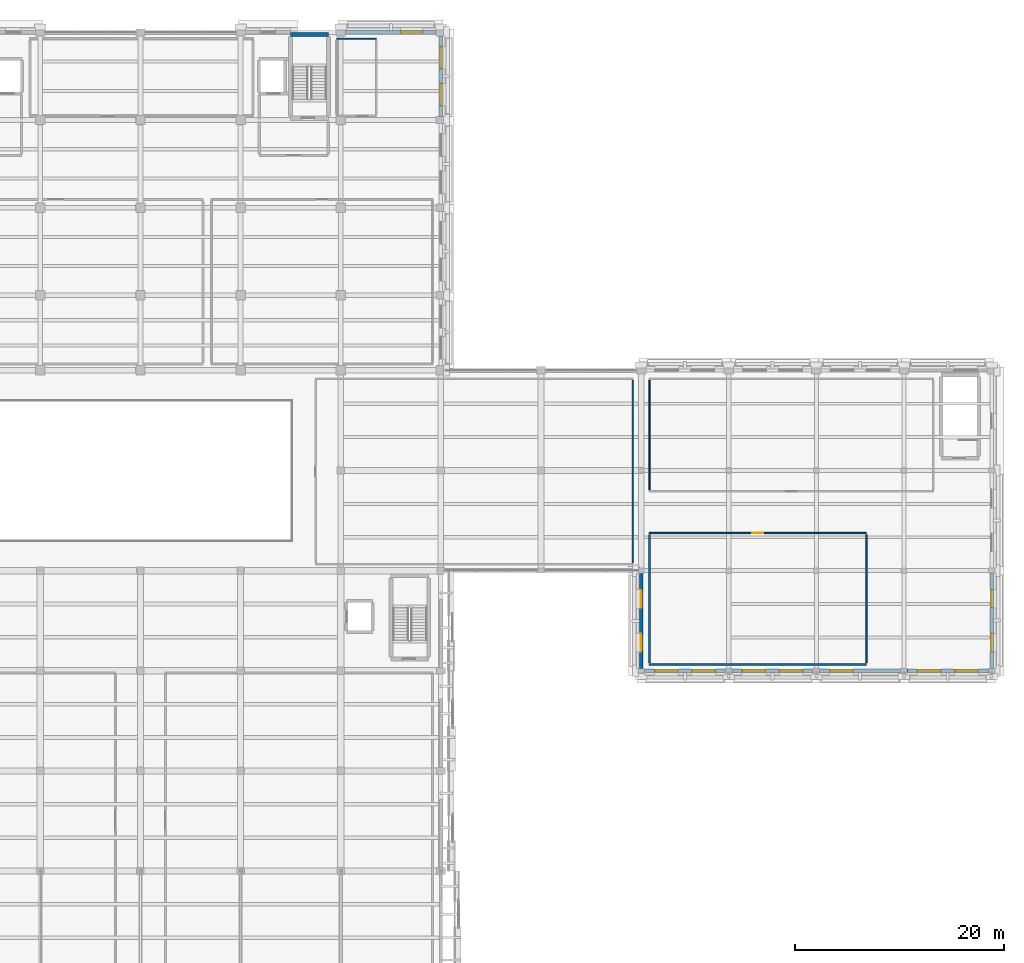
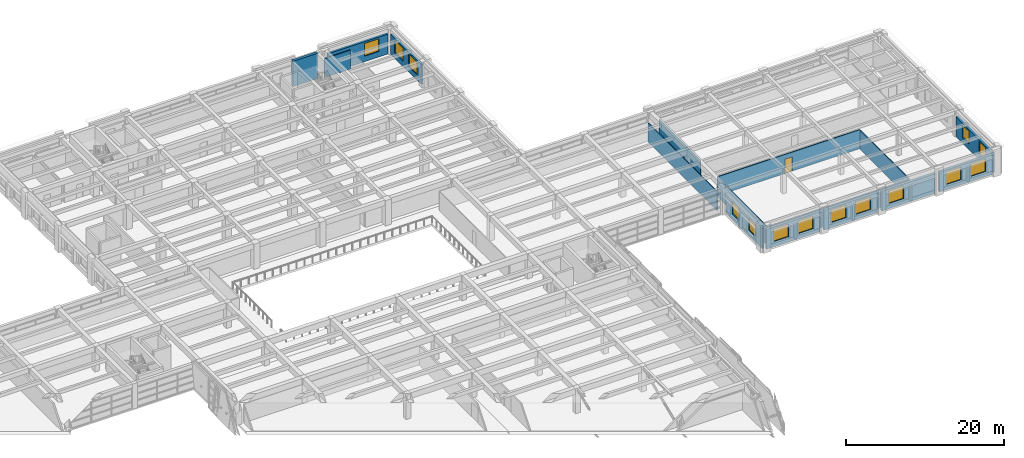
# One storey, part 48 of 62: 16 walls, 14 windows, 1 door, 15 openings.
"""IFC4 building model written with IfcOpenShell, lengths in metres."""

from ifc_helpers import new_model, si_unit, direction, frame, frame_2d, origin, place, context, subcontext, project, spatial, rectangle, extrude, material, layer, layer_set, type_object, element, fill, save


model = new_model("IFC4")

# Units and contexts
model_context = context("Model", 3, precision=1e-05, world=origin(), true_north=direction((0.0, 1.0)))
body_context = subcontext(model_context, "Body", "Model", "MODEL_VIEW")
ifc_project = project(units=[si_unit("LENGTHUNIT", "METRE"), si_unit("AREAUNIT", "SQUARE_METRE"), si_unit("VOLUMEUNIT", "CUBIC_METRE"), si_unit("PLANEANGLEUNIT", "RADIAN"), si_unit("MASSUNIT", "GRAM", prefix="KILO")], contexts=[model_context])

# Site, building, storey
site_placement = place(None, origin())
site = spatial("IfcSite", under=ifc_project, at=site_placement, CompositionType="ELEMENT")
building_placement = place(site_placement, origin())
building = spatial("IfcBuilding", under=site, at=building_placement, Name="Bempovik Park Faculty of Sciences", CompositionType="ELEMENT")
storey_placement = place(building_placement, frame((0.0, 0.0, 9.89990234375)))
storey = spatial("IfcBuildingStorey", under=building, at=storey_placement, Name="L02", CompositionType="ELEMENT", Elevation=9.89990234375)

# Walls
ifc_material_1 = material(Name="Gypsum acoustic stud assembly")
ifc_layer_1 = layer(ifc_material_1, 0.1201171875)
ifc_layer_set_1 = layer_set([ifc_layer_1], Name="Gypsum acoustic stud assembly")
wall_type_1 = type_object("IfcWallType", Name="W-17 Wall 120mm", PredefinedType="PARTITIONING", material=ifc_layer_set_1)
wall_1_placement = place(storey_placement, frame((136.0, 68.56005859375, 0.0), z_axis=(0.0, 0.0, 1.0), x_axis=(0.0, 1.0, 0.0)))
element("IfcWall", 1, at=wall_1_placement, inside=storey, type_object=wall_type_1, Name="L02 Atrium East Academic Staff Offices Partition East", PredefinedType="PARTITIONING", context=body_context, shape_type="SweptSolid", body=[
    extrude(rectangle(XDim=17.47998046875, YDim=0.1201171875, at=frame_2d((8.739990234375, 0.0))), origin(), (0.0, 0.0, 1.0), 2.920166015625),
])
wall_2_placement = place(storey_placement, frame((137.60009765625, 75.56005859375, 0.0), z_axis=(0.0, 0.0, 1.0), x_axis=(0.0, 1.0, 0.0)))
element("IfcWall", 2, at=wall_2_placement, inside=storey, type_object=wall_type_1, Name="L02 Mathematics Departmental Staff Offices Partition West", PredefinedType="PARTITIONING", context=body_context, shape_type="SweptSolid", body=[
    extrude(rectangle(XDim=10.47998046875, YDim=0.1201171875, at=frame_2d((5.239990234375, 0.0))), origin(), (0.0, 0.0, 1.0), 2.920166015625),
])
wall_3_placement = place(storey_placement, frame((107.60009765625, 118.800048828125, 0.0), z_axis=(0.0, 0.0, 1.0), x_axis=(1.0, 0.0, 0.0)))
element("IfcWall", 3, at=wall_3_placement, inside=storey, type_object=wall_type_1, Name="L02 L02 Accessible WC Partition North", PredefinedType="PARTITIONING", context=body_context, shape_type="SweptSolid", body=[
    extrude(rectangle(XDim=3.7998046875, YDim=0.1201171875, at=frame_2d((1.89990234375, 0.0))), origin(), (0.0, 0.0, 1.0), 2.920166015625),
])
ifc_layer_2 = layer(ifc_material_1, 0.14990234375)
ifc_layer_set_2 = layer_set([ifc_layer_2], Name="Gypsum acoustic stud assembly")
wall_type_2 = type_object("IfcWallType", Name="W-42 Wall 150mm", PredefinedType="PARTITIONING", material=ifc_layer_set_2)
wall_4_placement = place(storey_placement, frame((137.60009765625, 58.800048828125, 0.0), z_axis=(0.0, 0.0, 1.0), x_axis=(1.0, 0.0, 0.0)))
element("IfcWall", 4, at=wall_4_placement, inside=storey, type_object=wall_type_2, Name="L02 East Wing Honours Seminar Room Partition South", PredefinedType="PARTITIONING", context=body_context, shape_type="SweptSolid", body=[
    extrude(rectangle(XDim=20.7998046875, YDim=0.14990234375, at=frame_2d((10.39990234375, 0.0))), origin(), (0.0, 0.0, 1.0), 2.920166015625),
])

# Wall, opening, door
wall_5_placement = place(storey_placement, frame((137.60009765625, 71.39990234375, 0.0), z_axis=(0.0, 0.0, 1.0), x_axis=(1.0, 0.0, 0.0)))
wall_5 = element("IfcWall", 5, at=wall_5_placement, inside=storey, type_object=wall_type_2, Name="L02 East Wing Honours Seminar Room Partition North", PredefinedType="PARTITIONING", context=body_context, shape_type="SweptSolid", body=[
    extrude(rectangle(XDim=20.7998046875, YDim=0.14990234375, at=frame_2d((10.39990234375, 0.0))), origin(), (0.0, 0.0, 1.0), 2.920166015625),
])
opening_1_placement = place(wall_5_placement, frame((9.875, 0.0, 0.0)))
opening_1 = element("IfcOpeningElement", 6, at=opening_1_placement, cuts=wall_5, Name="Opening D-16", PredefinedType="OPENING", context=body_context, shape_type="SweptSolid", body=[
    extrude(rectangle(XDim=1.050048828125, YDim=2.199951171875, at=frame_2d((0.52490234375, 1.10009765625))), frame((0.0, 0.0849609375, 0.0), z_axis=(0.0, -1.0, 0.0), x_axis=(1.0, 0.0, 0.0)), (0.0, 0.0, 1.0), 0.169921875),
])
ifc_material_2 = material(Name="West African hardwood finish", Category="wood")
door_type = type_object("IfcDoorType", Name="D-16 Door 1050x2200", OperationType="NOTDEFINED", PredefinedType="DOOR", material=ifc_material_2)
door_placement = place(opening_1_placement, origin())
door = element("IfcDoor", 7, at=door_placement, inside=storey, type_object=door_type, Name="L02 East Wing Honours Seminar Room Door", OperationType="SINGLE_SWING_RIGHT", OverallHeight=2.199951171875, OverallWidth=1.050048828125, PredefinedType="DOOR", context=body_context, shape_type="SweptSolid", body=[
    extrude(rectangle(XDim=1.050048828125, YDim=2.199951171875, at=frame_2d((0.52490234375, 1.10009765625))), frame((0.0, 0.02490234375, 0.0), z_axis=(0.0, -1.0, 0.0), x_axis=(1.0, 0.0, 0.0)), (0.0, 0.0, 1.0), 0.050048828125),
])
fill(opening_1, door)

# Walls
for number, where, z_axis, x_axis, name in (
    (8, (137.60009765625, 58.9599609375, 0.0), (0.0, 0.0, 1.0), (0.0, 1.0, 0.0), "L02 East Wing Honours Seminar Room Partition West"),
    (9, (158.39990234375, 58.9599609375, 0.0), (0.0, 0.0, 1.0), (0.0, 1.0, 0.0), "L02 East Wing Honours Seminar Room Partition East"),
):
    element("IfcWall", number, at=place(storey_placement, frame(where, z_axis=z_axis, x_axis=x_axis)), inside=storey, type_object=wall_type_2, Name=name, PredefinedType="PARTITIONING", context=body_context, shape_type="SweptSolid", body=[
        extrude(rectangle(XDim=12.280029296875, YDim=0.14990234375, at=frame_2d((6.14013671875, 0.0))), origin(), (0.0, 0.0, 1.0), 2.920166015625),
    ])
ifc_material_3 = material(Name="Concrete C40/50", Category="concrete")
ifc_layer_3 = layer(ifc_material_3, 0.39990234375)
ifc_layer_set_3 = layer_set([ifc_layer_3], Name="Concrete C40/50")
wall_type_3 = type_object("IfcWallType", Name="W-47 Wall 400mm", PredefinedType="SHEAR", material=ifc_layer_set_3)
wall_6_placement = place(storey_placement, frame((103.175048828125, 119.199951171875, 0.0), z_axis=(0.0, 0.0, 1.0), x_axis=(1.0, 0.0, 0.0)))
element("IfcWall", 10, at=wall_6_placement, inside=storey, type_object=wall_type_3, Name="ST-2 L02 Core Shear Wall North", PredefinedType="SHEAR", context=body_context, shape_type="SweptSolid", body=[
    extrude(rectangle(XDim=3.64990234375, YDim=0.39990234375, at=frame_2d((1.824951171875, 0.0))), origin(), (0.0, 0.0, 1.0), 3.900146484375),
])

# Wall, opening, window
ifc_material_4 = material(Name="Precast concrete C40/50", Category="concrete")
ifc_layer_4 = layer(ifc_material_4, 0.320068359375)
ifc_layer_set_4 = layer_set([ifc_layer_4], Name="Precast concrete C40/50")
wall_type_4 = type_object("IfcWallType", Name="W-56 Wall 320mm", PredefinedType="SOLIDWALL", material=ifc_layer_set_4)
wall_7_placement = place(storey_placement, frame((108.451904296875, 119.39990234375, 0.0), z_axis=(0.0, 0.0, 1.0), x_axis=(1.0, 0.0, 0.0)))
wall_7 = element("IfcWall", 11, at=wall_7_placement, inside=storey, type_object=wall_type_4, Name="L02 Classical Precast Facade Wall EW-L02-7657", PredefinedType="SOLIDWALL", context=body_context, shape_type="SweptSolid", body=[
    extrude(rectangle(XDim=8.696044921875, YDim=0.320068359375, at=frame_2d((4.34814453125, 0.0))), origin(), (0.0, 0.0, 1.0), 3.080078125),
])
opening_2_placement = place(wall_7_placement, frame((5.298095703125, 0.0, 0.85009765625)))
opening_2 = element("IfcOpeningElement", 12, at=opening_2_placement, cuts=wall_7, Name="Opening WN-39", PredefinedType="OPENING", context=body_context, shape_type="SweptSolid", body=[
    extrude(rectangle(XDim=2.10009765625, YDim=1.949951171875, at=frame_2d((1.050048828125, 0.97509765625))), frame((0.0, 0.169921875, 0.0), z_axis=(0.0, -1.0, 0.0), x_axis=(1.0, 0.0, 0.0)), (0.0, 0.0, 1.0), 0.340087890625),
])
ifc_material_5 = material(Name="Tempered laminated low-E glass", Category="glass")
window_type_1 = type_object("IfcWindowType", Name="WN-39 Window 2100x1950", PartitioningType="SINGLE_PANEL", PredefinedType="WINDOW", material=ifc_material_5)
window_1_placement = place(opening_2_placement, origin())
window_1 = element("IfcWindow", 13, at=window_1_placement, inside=storey, type_object=window_type_1, Name="L02 Window EW-L02-7657-2", OverallHeight=1.949951171875, OverallWidth=2.10009765625, PartitioningType="SINGLE_PANEL", PredefinedType="WINDOW", context=body_context, shape_type="SweptSolid", body=[
    extrude(rectangle(XDim=2.10009765625, YDim=1.949951171875, at=frame_2d((1.050048828125, 0.97509765625))), frame((0.0, 0.030029296875, 0.0), z_axis=(0.0, -1.0, 0.0), x_axis=(1.0, 0.0, 0.0)), (0.0, 0.0, 1.0), 0.06005859375),
])
fill(opening_2, window_1)

# Wall, openings, windows
wall_8_placement = place(storey_placement, frame((117.60009765625, 111.35205078125, 0.0), z_axis=(0.0, 0.0, 1.0), x_axis=(0.0, 1.0, 0.0)))
wall_8 = element("IfcWall", 14, at=wall_8_placement, inside=storey, type_object=wall_type_4, Name="L02 Classical Precast Facade Wall EW-L02-7708", PredefinedType="SOLIDWALL", context=body_context, shape_type="SweptSolid", body=[
    extrude(rectangle(XDim=7.696044921875, YDim=0.320068359375, at=frame_2d((3.84814453125, 0.0))), origin(), (0.0, 0.0, 1.0), 3.080078125),
])
opening_3_placement = place(wall_8_placement, frame((1.02783203125, 0.0, 0.85009765625)))
opening_3 = element("IfcOpeningElement", 15, at=opening_3_placement, cuts=wall_8, Name="Opening WN-39", PredefinedType="OPENING", context=body_context, shape_type="SweptSolid", body=[
    extrude(rectangle(XDim=2.10009765625, YDim=1.949951171875, at=frame_2d((1.050048828125, 0.97509765625))), frame((0.0, 0.169921875, 0.0), z_axis=(0.0, -1.0, 0.0), x_axis=(1.0, 0.0, 0.0)), (0.0, 0.0, 1.0), 0.340087890625),
])
opening_4_placement = place(wall_8_placement, frame((4.568115234375, 0.0, 0.85009765625)))
opening_4 = element("IfcOpeningElement", 16, at=opening_4_placement, cuts=wall_8, Name="Opening WN-39", PredefinedType="OPENING", context=body_context, shape_type="SweptSolid", body=[
    extrude(rectangle(XDim=2.10009765625, YDim=1.949951171875, at=frame_2d((1.050048828125, 0.97509765625))), frame((0.0, 0.169921875, 0.0), z_axis=(0.0, -1.0, 0.0), x_axis=(1.0, 0.0, 0.0)), (0.0, 0.0, 1.0), 0.340087890625),
])
window_2_placement = place(opening_3_placement, origin())
window_2 = element("IfcWindow", 17, at=window_2_placement, inside=storey, type_object=window_type_1, Name="L02 Window EW-L02-7708-1", OverallHeight=1.949951171875, OverallWidth=2.10009765625, PartitioningType="SINGLE_PANEL", PredefinedType="WINDOW", context=body_context, shape_type="SweptSolid", body=[
    extrude(rectangle(XDim=2.10009765625, YDim=1.949951171875, at=frame_2d((1.050048828125, 0.97509765625))), frame((0.0, 0.030029296875, 0.0), z_axis=(0.0, -1.0, 0.0), x_axis=(1.0, 0.0, 0.0)), (0.0, 0.0, 1.0), 0.06005859375),
])
fill(opening_3, window_2)
window_3_placement = place(opening_4_placement, origin())
window_3 = element("IfcWindow", 18, at=window_3_placement, inside=storey, type_object=window_type_1, Name="L02 Window EW-L02-7708-2", OverallHeight=1.949951171875, OverallWidth=2.10009765625, PartitioningType="SINGLE_PANEL", PredefinedType="WINDOW", context=body_context, shape_type="SweptSolid", body=[
    extrude(rectangle(XDim=2.10009765625, YDim=1.949951171875, at=frame_2d((1.050048828125, 0.97509765625))), frame((0.0, 0.030029296875, 0.0), z_axis=(0.0, -1.0, 0.0), x_axis=(1.0, 0.0, 0.0)), (0.0, 0.0, 1.0), 0.06005859375),
])
fill(opening_4, window_3)

wall_9_placement = place(storey_placement, frame((170.39990234375, 58.431884765625, 0.0), z_axis=(0.0, 0.0, 1.0), x_axis=(0.0, 1.0, 0.0)))
wall_9 = element("IfcWall", 19, at=wall_9_placement, inside=storey, type_object=wall_type_4, Name="L02 Classical Precast Facade Wall EW-L02-7808", PredefinedType="SOLIDWALL", context=body_context, shape_type="SweptSolid", body=[
    extrude(rectangle(XDim=9.13623046875, YDim=0.320068359375, at=frame_2d((4.568115234375, 0.0))), origin(), (0.0, 0.0, 1.0), 3.080078125),
])
opening_5_placement = place(wall_9_placement, frame((1.61669921875, 0.0, 0.85009765625)))
opening_5 = element("IfcOpeningElement", 20, at=opening_5_placement, cuts=wall_9, Name="Opening WN-42", PredefinedType="OPENING", context=body_context, shape_type="SweptSolid", body=[
    extrude(rectangle(XDim=1.699951171875, YDim=1.949951171875, at=frame_2d((0.85009765625, 0.97509765625))), frame((0.0, 0.169921875, 0.0), z_axis=(0.0, -1.0, 0.0), x_axis=(1.0, 0.0, 0.0)), (0.0, 0.0, 1.0), 0.340087890625),
])
opening_6_placement = place(wall_9_placement, frame((5.8193359375, 0.0, 0.85009765625)))
opening_6 = element("IfcOpeningElement", 21, at=opening_6_placement, cuts=wall_9, Name="Opening WN-42", PredefinedType="OPENING", context=body_context, shape_type="SweptSolid", body=[
    extrude(rectangle(XDim=1.699951171875, YDim=1.949951171875, at=frame_2d((0.85009765625, 0.97509765625))), frame((0.0, 0.169921875, 0.0), z_axis=(0.0, -1.0, 0.0), x_axis=(1.0, 0.0, 0.0)), (0.0, 0.0, 1.0), 0.340087890625),
])
window_type_2 = type_object("IfcWindowType", Name="WN-42 Window 1700x1950", PartitioningType="SINGLE_PANEL", PredefinedType="WINDOW", material=ifc_material_5)
window_4_placement = place(opening_5_placement, origin())
window_4 = element("IfcWindow", 22, at=window_4_placement, inside=storey, type_object=window_type_2, Name="L02 Window EW-L02-7808-1", OverallHeight=1.949951171875, OverallWidth=1.699951171875, PartitioningType="SINGLE_PANEL", PredefinedType="WINDOW", context=body_context, shape_type="SweptSolid", body=[
    extrude(rectangle(XDim=1.699951171875, YDim=1.949951171875, at=frame_2d((0.85009765625, 0.97509765625))), frame((0.0, 0.030029296875, 0.0), z_axis=(0.0, -1.0, 0.0), x_axis=(1.0, 0.0, 0.0)), (0.0, 0.0, 1.0), 0.06005859375),
])
fill(opening_5, window_4)
window_5_placement = place(opening_6_placement, origin())
window_5 = element("IfcWindow", 23, at=window_5_placement, inside=storey, type_object=window_type_2, Name="L02 Window EW-L02-7808-2", OverallHeight=1.949951171875, OverallWidth=1.699951171875, PartitioningType="SINGLE_PANEL", PredefinedType="WINDOW", context=body_context, shape_type="SweptSolid", body=[
    extrude(rectangle(XDim=1.699951171875, YDim=1.949951171875, at=frame_2d((0.85009765625, 0.97509765625))), frame((0.0, 0.030029296875, 0.0), z_axis=(0.0, -1.0, 0.0), x_axis=(1.0, 0.0, 0.0)), (0.0, 0.0, 1.0), 0.06005859375),
])
fill(opening_6, window_5)

wall_10_placement = place(storey_placement, frame((137.112060546875, 58.199951171875, 0.0), z_axis=(0.0, 0.0, 1.0), x_axis=(1.0, 0.0, 0.0)))
wall_10 = element("IfcWall", 24, at=wall_10_placement, inside=storey, type_object=wall_type_4, Name="L02 Classical Precast Facade Wall EW-L02-7842", PredefinedType="SOLIDWALL", context=body_context, shape_type="SweptSolid", body=[
    extrude(rectangle(XDim=7.77587890625, YDim=0.320068359375, at=frame_2d((3.887939453125, 0.0))), origin(), (0.0, 0.0, 1.0), 3.080078125),
])
opening_7_placement = place(wall_10_placement, frame((0.99951171875, 0.0, 0.800048828125)))
opening_7 = element("IfcOpeningElement", 25, at=opening_7_placement, cuts=wall_10, Name="Opening WN-45", PredefinedType="OPENING", context=body_context, shape_type="SweptSolid", body=[
    extrude(rectangle(XDim=2.199951171875, YDim=2.0, at=frame_2d((1.10009765625, 1.0))), frame((0.0, 0.169921875, 0.0), z_axis=(0.0, -1.0, 0.0), x_axis=(1.0, 0.0, 0.0)), (0.0, 0.0, 1.0), 0.340087890625),
])
opening_8_placement = place(wall_10_placement, frame((4.576416015625, 0.0, 0.800048828125)))
opening_8 = element("IfcOpeningElement", 26, at=opening_8_placement, cuts=wall_10, Name="Opening WN-45", PredefinedType="OPENING", context=body_context, shape_type="SweptSolid", body=[
    extrude(rectangle(XDim=2.199951171875, YDim=2.0, at=frame_2d((1.10009765625, 1.0))), frame((0.0, 0.169921875, 0.0), z_axis=(0.0, -1.0, 0.0), x_axis=(1.0, 0.0, 0.0)), (0.0, 0.0, 1.0), 0.340087890625),
])
window_type_3 = type_object("IfcWindowType", Name="WN-45 Window 2200x2000", PartitioningType="SINGLE_PANEL", PredefinedType="WINDOW", material=ifc_material_5)
window_6_placement = place(opening_7_placement, origin())
window_6 = element("IfcWindow", 27, at=window_6_placement, inside=storey, type_object=window_type_3, Name="L02 Window EW-L02-7842-1", OverallHeight=2.0, OverallWidth=2.199951171875, PartitioningType="SINGLE_PANEL", PredefinedType="WINDOW", context=body_context, shape_type="SweptSolid", body=[
    extrude(rectangle(XDim=2.199951171875, YDim=2.0, at=frame_2d((1.10009765625, 1.0))), frame((0.0, 0.030029296875, 0.0), z_axis=(0.0, -1.0, 0.0), x_axis=(1.0, 0.0, 0.0)), (0.0, 0.0, 1.0), 0.06005859375),
])
fill(opening_7, window_6)
window_7_placement = place(opening_8_placement, origin())
window_7 = element("IfcWindow", 28, at=window_7_placement, inside=storey, type_object=window_type_3, Name="L02 Window EW-L02-7842-2", OverallHeight=2.0, OverallWidth=2.199951171875, PartitioningType="SINGLE_PANEL", PredefinedType="WINDOW", context=body_context, shape_type="SweptSolid", body=[
    extrude(rectangle(XDim=2.199951171875, YDim=2.0, at=frame_2d((1.10009765625, 1.0))), frame((0.0, 0.030029296875, 0.0), z_axis=(0.0, -1.0, 0.0), x_axis=(1.0, 0.0, 0.0)), (0.0, 0.0, 1.0), 0.06005859375),
])
fill(opening_8, window_7)

wall_11_placement = place(storey_placement, frame((145.511962890625, 58.199951171875, 0.0), z_axis=(0.0, 0.0, 1.0), x_axis=(1.0, 0.0, 0.0)))
wall_11 = element("IfcWall", 29, at=wall_11_placement, inside=storey, type_object=wall_type_4, Name="L02 Classical Precast Facade Wall EW-L02-7856", PredefinedType="SOLIDWALL", context=body_context, shape_type="SweptSolid", body=[
    extrude(rectangle(XDim=7.776123046875, YDim=0.320068359375, at=frame_2d((3.88818359375, 0.0))), origin(), (0.0, 0.0, 1.0), 3.080078125),
])
opening_9_placement = place(wall_11_placement, frame((0.99951171875, 0.0, 0.800048828125)))
opening_9 = element("IfcOpeningElement", 30, at=opening_9_placement, cuts=wall_11, Name="Opening WN-45", PredefinedType="OPENING", context=body_context, shape_type="SweptSolid", body=[
    extrude(rectangle(XDim=2.199951171875, YDim=2.0, at=frame_2d((1.10009765625, 1.0))), frame((0.0, 0.169921875, 0.0), z_axis=(0.0, -1.0, 0.0), x_axis=(1.0, 0.0, 0.0)), (0.0, 0.0, 1.0), 0.340087890625),
])
opening_10_placement = place(wall_11_placement, frame((4.576416015625, 0.0, 0.800048828125)))
opening_10 = element("IfcOpeningElement", 31, at=opening_10_placement, cuts=wall_11, Name="Opening WN-45", PredefinedType="OPENING", context=body_context, shape_type="SweptSolid", body=[
    extrude(rectangle(XDim=2.199951171875, YDim=2.0, at=frame_2d((1.10009765625, 1.0))), frame((0.0, 0.169921875, 0.0), z_axis=(0.0, -1.0, 0.0), x_axis=(1.0, 0.0, 0.0)), (0.0, 0.0, 1.0), 0.340087890625),
])
window_8_placement = place(opening_9_placement, origin())
window_8 = element("IfcWindow", 32, at=window_8_placement, inside=storey, type_object=window_type_3, Name="L02 Window EW-L02-7856-1", OverallHeight=2.0, OverallWidth=2.199951171875, PartitioningType="SINGLE_PANEL", PredefinedType="WINDOW", context=body_context, shape_type="SweptSolid", body=[
    extrude(rectangle(XDim=2.199951171875, YDim=2.0, at=frame_2d((1.10009765625, 1.0))), frame((0.0, 0.030029296875, 0.0), z_axis=(0.0, -1.0, 0.0), x_axis=(1.0, 0.0, 0.0)), (0.0, 0.0, 1.0), 0.06005859375),
])
fill(opening_9, window_8)
window_9_placement = place(opening_10_placement, origin())
window_9 = element("IfcWindow", 33, at=window_9_placement, inside=storey, type_object=window_type_3, Name="L02 Window EW-L02-7856-2", OverallHeight=2.0, OverallWidth=2.199951171875, PartitioningType="SINGLE_PANEL", PredefinedType="WINDOW", context=body_context, shape_type="SweptSolid", body=[
    extrude(rectangle(XDim=2.199951171875, YDim=2.0, at=frame_2d((1.10009765625, 1.0))), frame((0.0, 0.030029296875, 0.0), z_axis=(0.0, -1.0, 0.0), x_axis=(1.0, 0.0, 0.0)), (0.0, 0.0, 1.0), 0.06005859375),
])
fill(opening_10, window_9)

# Wall, opening, window
wall_12_placement = place(storey_placement, frame((153.912109375, 58.199951171875, 0.0), z_axis=(0.0, 0.0, 1.0), x_axis=(1.0, 0.0, 0.0)))
wall_12 = element("IfcWall", 34, at=wall_12_placement, inside=storey, type_object=wall_type_4, Name="L02 Classical Precast Facade Wall EW-L02-7869", PredefinedType="SOLIDWALL", context=body_context, shape_type="SweptSolid", body=[
    extrude(rectangle(XDim=7.77587890625, YDim=0.320068359375, at=frame_2d((3.887939453125, 0.0))), origin(), (0.0, 0.0, 1.0), 3.080078125),
])
opening_11_placement = place(wall_12_placement, frame((0.99951171875, 0.0, 0.800048828125)))
opening_11 = element("IfcOpeningElement", 35, at=opening_11_placement, cuts=wall_12, Name="Opening WN-45", PredefinedType="OPENING", context=body_context, shape_type="SweptSolid", body=[
    extrude(rectangle(XDim=2.199951171875, YDim=2.0, at=frame_2d((1.10009765625, 1.0))), frame((0.0, 0.169921875, 0.0), z_axis=(0.0, -1.0, 0.0), x_axis=(1.0, 0.0, 0.0)), (0.0, 0.0, 1.0), 0.340087890625),
])
window_10_placement = place(opening_11_placement, origin())
window_10 = element("IfcWindow", 36, at=window_10_placement, inside=storey, type_object=window_type_3, Name="L02 Window EW-L02-7869-1", OverallHeight=2.0, OverallWidth=2.199951171875, PartitioningType="SINGLE_PANEL", PredefinedType="WINDOW", context=body_context, shape_type="SweptSolid", body=[
    extrude(rectangle(XDim=2.199951171875, YDim=2.0, at=frame_2d((1.10009765625, 1.0))), frame((0.0, 0.030029296875, 0.0), z_axis=(0.0, -1.0, 0.0), x_axis=(1.0, 0.0, 0.0)), (0.0, 0.0, 1.0), 0.06005859375),
])
fill(opening_11, window_10)

# Wall, openings, windows
wall_13_placement = place(storey_placement, frame((162.31201171875, 58.199951171875, 0.0), z_axis=(0.0, 0.0, 1.0), x_axis=(1.0, 0.0, 0.0)))
wall_13 = element("IfcWall", 37, at=wall_13_placement, inside=storey, type_object=wall_type_4, Name="L02 Classical Precast Facade Wall EW-L02-7880", PredefinedType="SOLIDWALL", context=body_context, shape_type="SweptSolid", body=[
    extrude(rectangle(XDim=7.77587890625, YDim=0.320068359375, at=frame_2d((3.887939453125, 0.0))), origin(), (0.0, 0.0, 1.0), 3.080078125),
])
opening_12_placement = place(wall_13_placement, frame((0.99951171875, 0.0, 0.800048828125)))
opening_12 = element("IfcOpeningElement", 38, at=opening_12_placement, cuts=wall_13, Name="Opening WN-45", PredefinedType="OPENING", context=body_context, shape_type="SweptSolid", body=[
    extrude(rectangle(XDim=2.199951171875, YDim=2.0, at=frame_2d((1.10009765625, 1.0))), frame((0.0, 0.169921875, 0.0), z_axis=(0.0, -1.0, 0.0), x_axis=(1.0, 0.0, 0.0)), (0.0, 0.0, 1.0), 0.340087890625),
])
opening_13_placement = place(wall_13_placement, frame((4.576416015625, 0.0, 0.800048828125)))
opening_13 = element("IfcOpeningElement", 39, at=opening_13_placement, cuts=wall_13, Name="Opening WN-45", PredefinedType="OPENING", context=body_context, shape_type="SweptSolid", body=[
    extrude(rectangle(XDim=2.199951171875, YDim=2.0, at=frame_2d((1.10009765625, 1.0))), frame((0.0, 0.169921875, 0.0), z_axis=(0.0, -1.0, 0.0), x_axis=(1.0, 0.0, 0.0)), (0.0, 0.0, 1.0), 0.340087890625),
])
window_11_placement = place(opening_12_placement, origin())
window_11 = element("IfcWindow", 40, at=window_11_placement, inside=storey, type_object=window_type_3, Name="L02 Window EW-L02-7880-1", OverallHeight=2.0, OverallWidth=2.199951171875, PartitioningType="SINGLE_PANEL", PredefinedType="WINDOW", context=body_context, shape_type="SweptSolid", body=[
    extrude(rectangle(XDim=2.199951171875, YDim=2.0, at=frame_2d((1.10009765625, 1.0))), frame((0.0, 0.030029296875, 0.0), z_axis=(0.0, -1.0, 0.0), x_axis=(1.0, 0.0, 0.0)), (0.0, 0.0, 1.0), 0.06005859375),
])
fill(opening_12, window_11)
window_12_placement = place(opening_13_placement, origin())
window_12 = element("IfcWindow", 41, at=window_12_placement, inside=storey, type_object=window_type_3, Name="L02 Window EW-L02-7880-2", OverallHeight=2.0, OverallWidth=2.199951171875, PartitioningType="SINGLE_PANEL", PredefinedType="WINDOW", context=body_context, shape_type="SweptSolid", body=[
    extrude(rectangle(XDim=2.199951171875, YDim=2.0, at=frame_2d((1.10009765625, 1.0))), frame((0.0, 0.030029296875, 0.0), z_axis=(0.0, -1.0, 0.0), x_axis=(1.0, 0.0, 0.0)), (0.0, 0.0, 1.0), 0.06005859375),
])
fill(opening_13, window_12)

wall_14_placement = place(storey_placement, frame((136.800048828125, 58.431884765625, 0.0), z_axis=(0.0, 0.0, 1.0), x_axis=(0.0, 1.0, 0.0)))
wall_14 = element("IfcWall", 42, at=wall_14_placement, inside=storey, type_object=wall_type_4, Name="L02 Classical Precast Facade Wall EW-L02-7893", PredefinedType="SOLIDWALL", context=body_context, shape_type="SweptSolid", body=[
    extrude(rectangle(XDim=9.106201171875, YDim=0.320068359375, at=frame_2d((4.55322265625, 0.0))), origin(), (0.0, 0.0, 1.0), 3.080078125),
])
opening_14_placement = place(wall_14_placement, frame((1.608642578125, 0.0, 0.85009765625)))
opening_14 = element("IfcOpeningElement", 43, at=opening_14_placement, cuts=wall_14, Name="Opening WN-42", PredefinedType="OPENING", context=body_context, shape_type="SweptSolid", body=[
    extrude(rectangle(XDim=1.699951171875, YDim=1.949951171875, at=frame_2d((0.85009765625, 0.97509765625))), frame((0.0, 0.169921875, 0.0), z_axis=(0.0, -1.0, 0.0), x_axis=(1.0, 0.0, 0.0)), (0.0, 0.0, 1.0), 0.340087890625),
])
opening_15_placement = place(wall_14_placement, frame((5.79736328125, 0.0, 0.85009765625)))
opening_15 = element("IfcOpeningElement", 44, at=opening_15_placement, cuts=wall_14, Name="Opening WN-42", PredefinedType="OPENING", context=body_context, shape_type="SweptSolid", body=[
    extrude(rectangle(XDim=1.699951171875, YDim=1.949951171875, at=frame_2d((0.85009765625, 0.97509765625))), frame((0.0, 0.169921875, 0.0), z_axis=(0.0, -1.0, 0.0), x_axis=(1.0, 0.0, 0.0)), (0.0, 0.0, 1.0), 0.340087890625),
])
window_13_placement = place(opening_14_placement, origin())
window_13 = element("IfcWindow", 45, at=window_13_placement, inside=storey, type_object=window_type_2, Name="L02 Window EW-L02-7893-1", OverallHeight=1.949951171875, OverallWidth=1.699951171875, PartitioningType="SINGLE_PANEL", PredefinedType="WINDOW", context=body_context, shape_type="SweptSolid", body=[
    extrude(rectangle(XDim=1.699951171875, YDim=1.949951171875, at=frame_2d((0.85009765625, 0.97509765625))), frame((0.0, 0.030029296875, 0.0), z_axis=(0.0, -1.0, 0.0), x_axis=(1.0, 0.0, 0.0)), (0.0, 0.0, 1.0), 0.06005859375),
])
fill(opening_14, window_13)
window_14_placement = place(opening_15_placement, origin())
window_14 = element("IfcWindow", 46, at=window_14_placement, inside=storey, type_object=window_type_2, Name="L02 Window EW-L02-7893-2", OverallHeight=1.949951171875, OverallWidth=1.699951171875, PartitioningType="SINGLE_PANEL", PredefinedType="WINDOW", context=body_context, shape_type="SweptSolid", body=[
    extrude(rectangle(XDim=1.699951171875, YDim=1.949951171875, at=frame_2d((0.85009765625, 0.97509765625))), frame((0.0, 0.030029296875, 0.0), z_axis=(0.0, -1.0, 0.0), x_axis=(1.0, 0.0, 0.0)), (0.0, 0.0, 1.0), 0.06005859375),
])
fill(opening_15, window_14)

save(model, "model.ifc")
